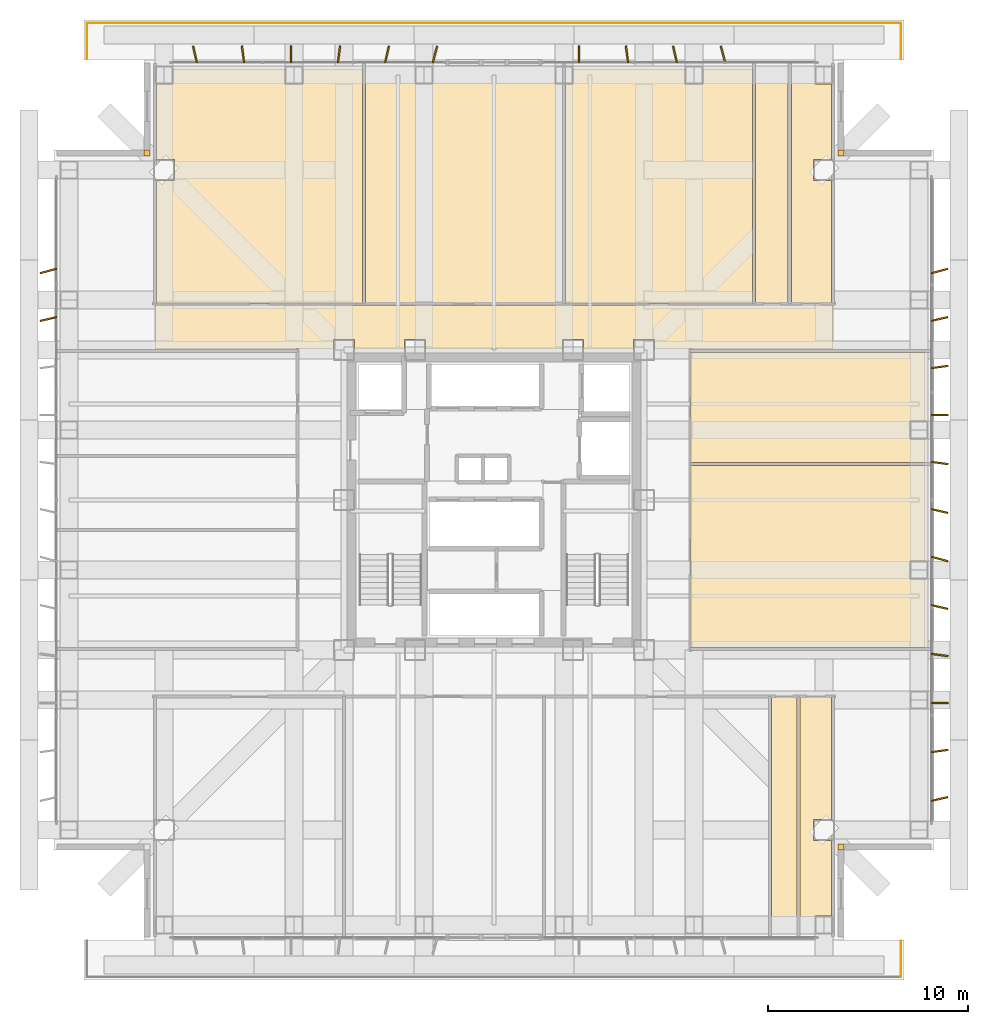
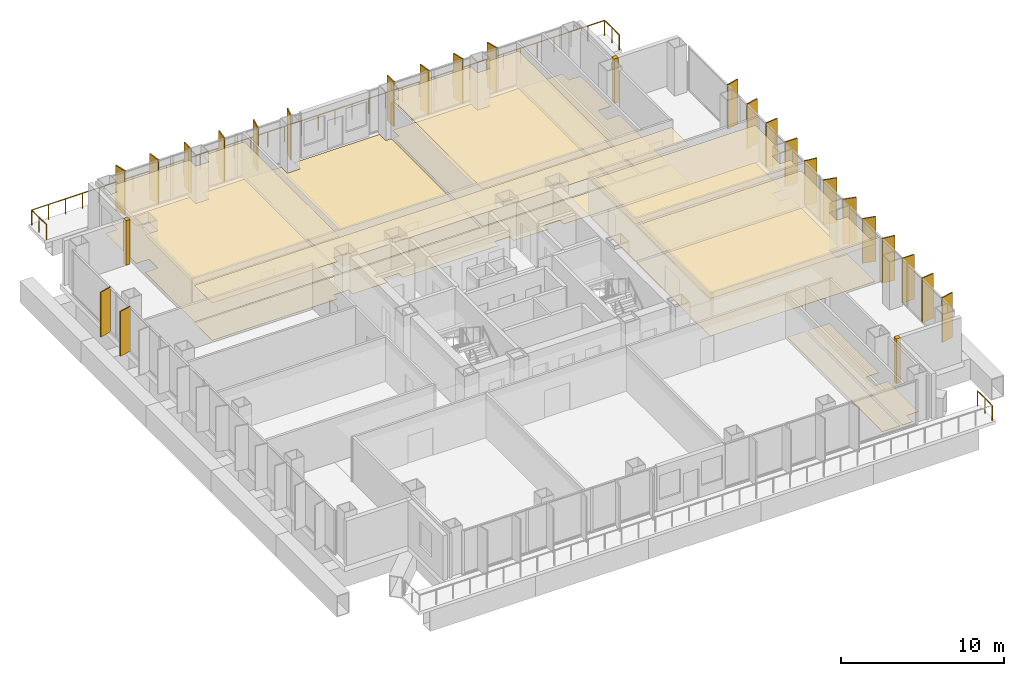
# One storey, part 17 of 17: 24 shading devices, 18 coverings, 4 railings.
"""IFC4 building model written with IfcOpenShell, lengths in metres."""

from ifc_helpers import new_model, si_unit, direction, frame, origin, origin_2d, place, context, subcontext, project, spatial, polyline, rectangle, circle, outline, extrude, material, layer, layer_set, type_object, element, save


model = new_model("IFC4")

# Units and contexts
model_context = context("Model", 3, precision=1e-05, world=origin(), true_north=direction((0.0, 1.0)))
body_context = subcontext(model_context, "Body", "Model", "MODEL_VIEW")
ifc_project = project(units=[si_unit("LENGTHUNIT", "METRE"), si_unit("AREAUNIT", "SQUARE_METRE"), si_unit("VOLUMEUNIT", "CUBIC_METRE"), si_unit("PLANEANGLEUNIT", "RADIAN"), si_unit("MASSUNIT", "GRAM", prefix="KILO")], contexts=[model_context])

# Site, building, storey
site_placement = place(None, origin())
site = spatial("IfcSite", under=ifc_project, at=site_placement, CompositionType="ELEMENT")
building_placement = place(site_placement, origin())
building = spatial("IfcBuilding", under=site, at=building_placement, Name="Trevonay Congress Spire", CompositionType="ELEMENT")
storey_placement = place(building_placement, frame((0.0, 0.0, 94.0)))
storey = spatial("IfcBuildingStorey", under=building, at=storey_placement, Name="L23", CompositionType="ELEMENT", Elevation=94.0)

# Coverings
ifc_material_1 = material(Name="Acoustic Mineral Fibre Board", Category="gypsum")
ifc_layer_1 = layer(ifc_material_1, 0.02490234375, Name="Acoustic Mineral Fibre Board")
ifc_layer_set_1 = layer_set([ifc_layer_1], Name="Acoustic Mineral Fibre Board")
covering_type_1 = type_object("IfcCoveringType", Name="COV-CEIL-ACOUSTIC", PredefinedType="CEILING", material=ifc_layer_set_1)
covering_1_placement = place(storey_placement, frame((0.0, 0.0, 2.81005859375)))
element("IfcCovering", 1, at=covering_1_placement, inside=storey, type_object=covering_type_1, Name="L23 Sky Lobby Concourse North acoustic suspended ceiling", PredefinedType="CEILING", context=body_context, shape_type="SweptSolid", body=[
    extrude(outline(polyline([(-16.949951171875, 7.550048828125), (-16.949951171875, 9.75), (16.949951171875, 9.75), (16.949951171875, 7.550048828125), (8.034912109375, 7.550048828125), (8.034912109375, 8.034912109375), (6.965087890625, 8.034912109375), (6.965087890625, 7.550048828125), (4.485107421875, 7.550048828125), (4.485107421875, 8.034912109375), (3.4150390625, 8.034912109375), (3.4150390625, 7.550048828125), (-3.4150390625, 7.550048828125), (-3.4150390625, 8.034912109375), (-4.485107421875, 8.034912109375), (-4.485107421875, 7.550048828125), (-6.965087890625, 7.550048828125), (-6.965087890625, 8.034912109375), (-8.034912109375, 8.034912109375), (-8.034912109375, 7.550048828125), (-16.949951171875, 7.550048828125)])), origin(), (0.0, 0.0, 1.0), 0.02490234375),
])
covering_2_placement = place(storey_placement, frame((0.0, 0.0, 2.81005859375)))
element("IfcCovering", 2, at=covering_2_placement, inside=storey, type_object=covering_type_1, Name="L23 Sky-Lobby Business Secretariat Office acoustic suspended ceiling", PredefinedType="CEILING", context=body_context, shape_type="SweptSolid", body=[
    extrude(outline(polyline([(-6.580078125, 21.550048828125), (-6.580078125, 9.830078125), (-16.8701171875, 9.830078125), (-16.8701171875, 15.965087890625), (-15.965087890625, 15.965087890625), (-15.965087890625, 17.034912109375), (-16.8701171875, 17.034912109375), (-16.8701171875, 20.7900390625), (-16.0400390625, 20.7900390625), (-16.0400390625, 21.550048828125), (-10.4599609375, 21.550048828125), (-10.4599609375, 20.7900390625), (-9.5400390625, 20.7900390625), (-9.5400390625, 21.550048828125), (-6.580078125, 21.550048828125)])), origin(), (0.0, 0.0, 1.0), 0.02490234375),
])
covering_3_placement = place(storey_placement, frame((0.0, 0.0, 2.81005859375)))
element("IfcCovering", 3, at=covering_3_placement, inside=storey, type_object=covering_type_1, Name="L23 Press Interview Office acoustic suspended ceiling", PredefinedType="CEILING", context=body_context, shape_type="SweptSolid", body=[
    extrude(outline(polyline([(12.919921875, 21.550048828125), (12.919921875, 9.830078125), (3.580078125, 9.830078125), (3.580078125, 20.7900390625), (3.9599609375, 20.7900390625), (3.9599609375, 21.550048828125), (9.5400390625, 21.550048828125), (9.5400390625, 20.7900390625), (10.4599609375, 20.7900390625), (10.4599609375, 21.550048828125), (12.919921875, 21.550048828125)])), origin(), (0.0, 0.0, 1.0), 0.02490234375),
])
covering_4_placement = place(storey_placement, frame((0.0, 0.0, 2.81005859375)))
element("IfcCovering", 4, at=covering_4_placement, inside=storey, type_object=covering_type_1, Name="L23 VIP Delegation Waiting Salon acoustic suspended ceiling", PredefinedType="CEILING", context=body_context, shape_type="SweptSolid", body=[
    extrude(outline(polyline([(21.550048828125, -7.3701171875), (9.830078125, -7.3701171875), (9.830078125, 1.719970703125), (21.550048828125, 1.719970703125), (21.550048828125, -3.0400390625), (20.7900390625, -3.0400390625), (20.7900390625, -3.9599609375), (21.550048828125, -3.9599609375), (21.550048828125, -7.3701171875)])), origin(), (0.0, 0.0, 1.0), 0.02490234375),
])
covering_5_placement = place(storey_placement, frame((0.0, 0.0, 2.81005859375)))
element("IfcCovering", 5, at=covering_5_placement, inside=storey, type_object=covering_type_1, Name="L23 Catering Servery Kitchen acoustic suspended ceiling", PredefinedType="CEILING", context=body_context, shape_type="SweptSolid", body=[
    extrude(outline(polyline([(21.550048828125, 1.8798828125), (9.830078125, 1.8798828125), (9.830078125, 7.3701171875), (21.550048828125, 7.3701171875), (21.550048828125, 3.9599609375), (20.7900390625, 3.9599609375), (20.7900390625, 3.0400390625), (21.550048828125, 3.0400390625), (21.550048828125, 1.8798828125)])), origin(), (0.0, 0.0, 1.0), 0.02490234375),
])
ifc_material_2 = material(Name="Polished Granite Floor Tile", Category="masonry")
ifc_layer_2 = layer(ifc_material_2, 0.02001953125, Name="Polished Granite Floor Tile")
ifc_layer_set_2 = layer_set([ifc_layer_2], Name="Polished Granite Floor Tile")
covering_type_2 = type_object("IfcCoveringType", Name="COV-FLOOR-STONE", PredefinedType="FLOORING", material=ifc_layer_set_2)
covering_6_placement = place(storey_placement, origin())
element("IfcCovering", 6, at=covering_6_placement, inside=storey, type_object=covering_type_2, Name="L23 Sky Lobby Concourse North floor finish", PredefinedType="FLOORING", context=body_context, shape_type="SweptSolid", body=[
    extrude(outline(polyline([(-16.949951171875, 7.550048828125), (-16.949951171875, 9.75), (16.949951171875, 9.75), (16.949951171875, 7.550048828125), (8.034912109375, 7.550048828125), (8.034912109375, 8.034912109375), (6.965087890625, 8.034912109375), (6.965087890625, 7.550048828125), (4.485107421875, 7.550048828125), (4.485107421875, 8.034912109375), (3.4150390625, 8.034912109375), (3.4150390625, 7.550048828125), (-3.4150390625, 7.550048828125), (-3.4150390625, 8.034912109375), (-4.485107421875, 8.034912109375), (-4.485107421875, 7.550048828125), (-6.965087890625, 7.550048828125), (-6.965087890625, 8.034912109375), (-8.034912109375, 8.034912109375), (-8.034912109375, 7.550048828125), (-16.949951171875, 7.550048828125)])), origin(), (0.0, 0.0, 1.0), 0.02001953125),
])
covering_7_placement = place(storey_placement, origin())
element("IfcCovering", 7, at=covering_7_placement, inside=storey, type_object=covering_type_2, Name="L23 Accessible WC floor finish", PredefinedType="FLOORING", context=body_context, shape_type="SweptSolid", body=[
    extrude(outline(polyline([(13.8798828125, -21.550048828125), (15.14990234375, -21.550048828125), (15.14990234375, -9.830078125), (13.8798828125, -9.830078125), (13.8798828125, -21.550048828125)])), origin(), (0.0, 0.0, 1.0), 0.02001953125),
])
covering_8_placement = place(storey_placement, origin())
element("IfcCovering", 8, at=covering_8_placement, inside=storey, type_object=covering_type_2, Name="L23 Floor Supplies and Copy Room floor finish", PredefinedType="FLOORING", context=body_context, shape_type="SweptSolid", body=[
    extrude(outline(polyline([(15.31005859375, -21.550048828125), (15.31005859375, -9.830078125), (16.8701171875, -9.830078125), (16.8701171875, -15.965087890625), (15.965087890625, -15.965087890625), (15.965087890625, -17.034912109375), (16.8701171875, -17.034912109375), (16.8701171875, -20.7900390625), (16.0400390625, -20.7900390625), (16.0400390625, -21.550048828125), (15.31005859375, -21.550048828125)])), origin(), (0.0, 0.0, 1.0), 0.02001953125),
])
covering_9_placement = place(storey_placement, origin())
element("IfcCovering", 9, at=covering_9_placement, inside=storey, type_object=covering_type_2, Name="L23 Protocol Archive Store floor finish", PredefinedType="FLOORING", context=body_context, shape_type="SweptSolid", body=[
    extrude(outline(polyline([(3.419921875, 9.830078125), (-6.419921875, 9.830078125), (-6.419921875, 21.550048828125), (-3.9599609375, 21.550048828125), (-3.9599609375, 20.7900390625), (-3.0400390625, 20.7900390625), (-3.0400390625, 21.550048828125), (3.0400390625, 21.550048828125), (3.0400390625, 20.7900390625), (3.419921875, 20.7900390625), (3.419921875, 9.830078125)])), origin(), (0.0, 0.0, 1.0), 0.02001953125),
])
covering_10_placement = place(storey_placement, origin())
element("IfcCovering", 10, at=covering_10_placement, inside=storey, type_object=covering_type_2, Name="L23 Female Restroom WC floor finish", PredefinedType="FLOORING", context=body_context, shape_type="SweptSolid", body=[
    extrude(outline(polyline([(13.080078125, 9.830078125), (14.7099609375, 9.830078125), (14.7099609375, 21.550048828125), (13.080078125, 21.550048828125), (13.080078125, 9.830078125)])), origin(), (0.0, 0.0, 1.0), 0.02001953125),
])
covering_11_placement = place(storey_placement, origin())
element("IfcCovering", 11, at=covering_11_placement, inside=storey, type_object=covering_type_2, Name="L23 Floor Supplies and Copy Room floor finish", PredefinedType="FLOORING", context=body_context, shape_type="SweptSolid", body=[
    extrude(outline(polyline([(16.8701171875, 9.830078125), (14.8701171875, 9.830078125), (14.8701171875, 21.550048828125), (16.0400390625, 21.550048828125), (16.0400390625, 20.7900390625), (16.8701171875, 20.7900390625), (16.8701171875, 17.034912109375), (15.965087890625, 17.034912109375), (15.965087890625, 15.965087890625), (16.8701171875, 15.965087890625), (16.8701171875, 9.830078125)])), origin(), (0.0, 0.0, 1.0), 0.02001953125),
])
covering_12_placement = place(storey_placement, origin())
element("IfcCovering", 12, at=covering_12_placement, inside=storey, type_object=covering_type_2, Name="L23 Catering Servery Kitchen floor finish", PredefinedType="FLOORING", context=body_context, shape_type="SweptSolid", body=[
    extrude(outline(polyline([(21.550048828125, 1.8798828125), (9.830078125, 1.8798828125), (9.830078125, 7.3701171875), (21.550048828125, 7.3701171875), (21.550048828125, 3.9599609375), (20.7900390625, 3.9599609375), (20.7900390625, 3.0400390625), (21.550048828125, 3.0400390625), (21.550048828125, 1.8798828125)])), origin(), (0.0, 0.0, 1.0), 0.02001953125),
])
ifc_material_3 = material(Name="Engineered Oak Flooring", Category="wood")
ifc_layer_3 = layer(ifc_material_3, 0.01806640625, Name="Engineered Oak Flooring")
ifc_layer_set_3 = layer_set([ifc_layer_3], Name="Engineered Oak Flooring")
covering_type_3 = type_object("IfcCoveringType", Name="COV-FLOOR-TIMBER", PredefinedType="FLOORING", material=ifc_layer_set_3)
covering_13_placement = place(storey_placement, origin())
element("IfcCovering", 13, at=covering_13_placement, inside=storey, type_object=covering_type_3, Name="L23 Sky-Lobby Business Secretariat Office floor finish", PredefinedType="FLOORING", context=body_context, shape_type="SweptSolid", body=[
    extrude(outline(polyline([(-6.580078125, 21.550048828125), (-6.580078125, 9.830078125), (-16.8701171875, 9.830078125), (-16.8701171875, 15.965087890625), (-15.965087890625, 15.965087890625), (-15.965087890625, 17.034912109375), (-16.8701171875, 17.034912109375), (-16.8701171875, 20.7900390625), (-16.0400390625, 20.7900390625), (-16.0400390625, 21.550048828125), (-10.4599609375, 21.550048828125), (-10.4599609375, 20.7900390625), (-9.5400390625, 20.7900390625), (-9.5400390625, 21.550048828125), (-6.580078125, 21.550048828125)])), origin(), (0.0, 0.0, 1.0), 0.01806640625),
])
covering_14_placement = place(storey_placement, origin())
element("IfcCovering", 14, at=covering_14_placement, inside=storey, type_object=covering_type_3, Name="L23 Press Interview Office floor finish", PredefinedType="FLOORING", context=body_context, shape_type="SweptSolid", body=[
    extrude(outline(polyline([(12.919921875, 21.550048828125), (12.919921875, 9.830078125), (3.580078125, 9.830078125), (3.580078125, 20.7900390625), (3.9599609375, 20.7900390625), (3.9599609375, 21.550048828125), (9.5400390625, 21.550048828125), (9.5400390625, 20.7900390625), (10.4599609375, 20.7900390625), (10.4599609375, 21.550048828125), (12.919921875, 21.550048828125)])), origin(), (0.0, 0.0, 1.0), 0.01806640625),
])
covering_15_placement = place(storey_placement, origin())
element("IfcCovering", 15, at=covering_15_placement, inside=storey, type_object=covering_type_3, Name="L23 VIP Delegation Waiting Salon floor finish", PredefinedType="FLOORING", context=body_context, shape_type="SweptSolid", body=[
    extrude(outline(polyline([(21.550048828125, -7.3701171875), (9.830078125, -7.3701171875), (9.830078125, 1.719970703125), (21.550048828125, 1.719970703125), (21.550048828125, -3.0400390625), (20.7900390625, -3.0400390625), (20.7900390625, -3.9599609375), (21.550048828125, -3.9599609375), (21.550048828125, -7.3701171875)])), origin(), (0.0, 0.0, 1.0), 0.01806640625),
])
ifc_material_4 = material(Name="Pale Anodised Aluminium EN AW-6063-T6", Category="aluminium")
ifc_layer_4 = layer(ifc_material_4, 0.0400390625, Name="Pale Anodised Aluminium EN AW-6063-T6")
ifc_layer_set_4 = layer_set([ifc_layer_4], Name="Pale Anodised Aluminium EN AW-6063-T6")
covering_type_4 = type_object("IfcCoveringType", Name="COV-SPANDREL-PALE-METAL", PredefinedType="CLADDING", material=ifc_layer_set_4)
covering_16_placement = place(storey_placement, origin())
element("IfcCovering", 16, at=covering_16_placement, inside=storey, type_object=covering_type_4, Name="L23 SE re-entrant notch corner closure trim", PredefinedType="CLADDING", context=body_context, shape_type="SweptSolid", body=[
    extrude(outline(polyline([(17.199951171875, -17.5), (17.5, -17.5), (17.5, -17.199951171875), (17.199951171875, -17.199951171875), (17.199951171875, -17.5)])), origin(), (0.0, 0.0, 1.0), 3.360107421875),
])
covering_17_placement = place(storey_placement, origin())
element("IfcCovering", 17, at=covering_17_placement, inside=storey, type_object=covering_type_4, Name="L23 NE re-entrant notch corner closure trim", PredefinedType="CLADDING", context=body_context, shape_type="SweptSolid", body=[
    extrude(outline(polyline([(17.199951171875, 17.199951171875), (17.5, 17.199951171875), (17.5, 17.5), (17.199951171875, 17.5), (17.199951171875, 17.199951171875)])), origin(), (0.0, 0.0, 1.0), 3.360107421875),
])
covering_18_placement = place(storey_placement, origin())
element("IfcCovering", 18, at=covering_18_placement, inside=storey, type_object=covering_type_4, Name="L23 NW re-entrant notch corner closure trim", PredefinedType="CLADDING", context=body_context, shape_type="SweptSolid", body=[
    extrude(outline(polyline([(-17.5, 17.199951171875), (-17.199951171875, 17.199951171875), (-17.199951171875, 17.5), (-17.5, 17.5), (-17.5, 17.199951171875)])), origin(), (0.0, 0.0, 1.0), 3.360107421875),
])

# Railings
railing_type = type_object("IfcRailingType", Name="RAL-BALUSTRADE-115", PredefinedType="BALUSTRADE", material=ifc_material_4)
for number, where, name in (
    (19, (20.35009765625, -23.85009765625, 0.0), "L23 perimeter safety guard GRD-L23-SKY-S-3"),
    (20, (-20.35009765625, 22.050048828125, 0.0), "L23 perimeter safety guard GRD-L23-SKY-N-1"),
):
    element("IfcRailing", number, at=place(storey_placement, frame(where)), inside=storey, type_object=railing_type, Name=name, PredefinedType="BALUSTRADE", context=body_context, shape_type="SweptSolid", body=[
        extrude(circle(Radius=0.02392578125, at=origin_2d()), frame((0.0, 0.0, 1.1259765625), z_axis=(0.0, 1.0, 0.0), x_axis=(-1.0, 0.0, 0.0)), (0.0, 0.0, 1.0), 1.800048828125),
        extrude(circle(Radius=0.02099609375, at=origin_2d()), origin(), (0.0, 0.0, 1.0), 1.101806640625),
        extrude(circle(Radius=0.02099609375, at=origin_2d()), frame((0.0, 0.89990234375, 0.0)), (0.0, 0.0, 1.0), 1.101806640625),
        extrude(circle(Radius=0.02099609375, at=origin_2d()), frame((0.0, 1.800048828125, 0.0)), (0.0, 0.0, 1.0), 1.101806640625),
    ])
railing_1_placement = place(storey_placement, frame((-20.35009765625, 23.85009765625, 0.0)))
element("IfcRailing", 21, at=railing_1_placement, inside=storey, type_object=railing_type, Name="L23 perimeter safety guard GRD-L23-SKY-N-2", PredefinedType="BALUSTRADE", context=body_context, shape_type="SweptSolid", body=[
    extrude(circle(Radius=0.02392578125, at=origin_2d()), frame((0.0, 0.0, 1.1259765625), z_axis=(1.0, 0.0, 0.0), x_axis=(0.0, 1.0, 0.0)), (0.0, 0.0, 1.0), 40.7001953125),
    extrude(circle(Radius=0.02099609375, at=origin_2d()), origin(), (0.0, 0.0, 1.0), 1.101806640625),
    extrude(circle(Radius=0.02099609375, at=origin_2d()), frame((1.197021484375, 0.0, 0.0)), (0.0, 0.0, 1.0), 1.101806640625),
    extrude(circle(Radius=0.02099609375, at=origin_2d()), frame((2.39404296875, 0.0, 0.0)), (0.0, 0.0, 1.0), 1.101806640625),
    extrude(circle(Radius=0.02099609375, at=origin_2d()), frame((3.59130859375, 0.0, 0.0)), (0.0, 0.0, 1.0), 1.101806640625),
    extrude(circle(Radius=0.02099609375, at=origin_2d()), frame((4.788330078125, 0.0, 0.0)), (0.0, 0.0, 1.0), 1.101806640625),
    extrude(circle(Radius=0.02099609375, at=origin_2d()), frame((5.9853515625, 0.0, 0.0)), (0.0, 0.0, 1.0), 1.101806640625),
    extrude(circle(Radius=0.02099609375, at=origin_2d()), frame((7.182373046875, 0.0, 0.0)), (0.0, 0.0, 1.0), 1.101806640625),
    extrude(circle(Radius=0.02099609375, at=origin_2d()), frame((8.37939453125, 0.0, 0.0)), (0.0, 0.0, 1.0), 1.101806640625),
    extrude(circle(Radius=0.02099609375, at=origin_2d()), frame((9.576416015625, 0.0, 0.0)), (0.0, 0.0, 1.0), 1.101806640625),
    extrude(circle(Radius=0.02099609375, at=origin_2d()), frame((10.773681640625, 0.0, 0.0)), (0.0, 0.0, 1.0), 1.101806640625),
    extrude(circle(Radius=0.02099609375, at=origin_2d()), frame((11.970703125, 0.0, 0.0)), (0.0, 0.0, 1.0), 1.101806640625),
    extrude(circle(Radius=0.02099609375, at=origin_2d()), frame((13.167724609375, 0.0, 0.0)), (0.0, 0.0, 1.0), 1.101806640625),
    extrude(circle(Radius=0.02099609375, at=origin_2d()), frame((14.36474609375, 0.0, 0.0)), (0.0, 0.0, 1.0), 1.101806640625),
    extrude(circle(Radius=0.02099609375, at=origin_2d()), frame((15.561767578125, 0.0, 0.0)), (0.0, 0.0, 1.0), 1.101806640625),
    extrude(circle(Radius=0.02099609375, at=origin_2d()), frame((16.7587890625, 0.0, 0.0)), (0.0, 0.0, 1.0), 1.101806640625),
    extrude(circle(Radius=0.02099609375, at=origin_2d()), frame((17.9560546875, 0.0, 0.0)), (0.0, 0.0, 1.0), 1.101806640625),
    extrude(circle(Radius=0.02099609375, at=origin_2d()), frame((19.153076171875, 0.0, 0.0)), (0.0, 0.0, 1.0), 1.101806640625),
    extrude(circle(Radius=0.02099609375, at=origin_2d()), frame((20.35009765625, 0.0, 0.0)), (0.0, 0.0, 1.0), 1.101806640625),
    extrude(circle(Radius=0.02099609375, at=origin_2d()), frame((21.547119140625, 0.0, 0.0)), (0.0, 0.0, 1.0), 1.101806640625),
    extrude(circle(Radius=0.02099609375, at=origin_2d()), frame((22.744140625, 0.0, 0.0)), (0.0, 0.0, 1.0), 1.101806640625),
    extrude(circle(Radius=0.02099609375, at=origin_2d()), frame((23.94140625, 0.0, 0.0)), (0.0, 0.0, 1.0), 1.101806640625),
    extrude(circle(Radius=0.02099609375, at=origin_2d()), frame((25.138427734375, 0.0, 0.0)), (0.0, 0.0, 1.0), 1.101806640625),
    extrude(circle(Radius=0.02099609375, at=origin_2d()), frame((26.33544921875, 0.0, 0.0)), (0.0, 0.0, 1.0), 1.101806640625),
    extrude(circle(Radius=0.02099609375, at=origin_2d()), frame((27.532470703125, 0.0, 0.0)), (0.0, 0.0, 1.0), 1.101806640625),
    extrude(circle(Radius=0.02099609375, at=origin_2d()), frame((28.7294921875, 0.0, 0.0)), (0.0, 0.0, 1.0), 1.101806640625),
    extrude(circle(Radius=0.02099609375, at=origin_2d()), frame((29.926513671875, 0.0, 0.0)), (0.0, 0.0, 1.0), 1.101806640625),
    extrude(circle(Radius=0.02099609375, at=origin_2d()), frame((31.123779296875, 0.0, 0.0)), (0.0, 0.0, 1.0), 1.101806640625),
    extrude(circle(Radius=0.02099609375, at=origin_2d()), frame((32.32080078125, 0.0, 0.0)), (0.0, 0.0, 1.0), 1.101806640625),
    extrude(circle(Radius=0.02099609375, at=origin_2d()), frame((33.517822265625, 0.0, 0.0)), (0.0, 0.0, 1.0), 1.101806640625),
    extrude(circle(Radius=0.02099609375, at=origin_2d()), frame((34.71484375, 0.0, 0.0)), (0.0, 0.0, 1.0), 1.101806640625),
    extrude(circle(Radius=0.02099609375, at=origin_2d()), frame((35.911865234375, 0.0, 0.0)), (0.0, 0.0, 1.0), 1.101806640625),
    extrude(circle(Radius=0.02099609375, at=origin_2d()), frame((37.10888671875, 0.0, 0.0)), (0.0, 0.0, 1.0), 1.101806640625),
    extrude(circle(Radius=0.02099609375, at=origin_2d()), frame((38.30615234375, 0.0, 0.0)), (0.0, 0.0, 1.0), 1.101806640625),
    extrude(circle(Radius=0.02099609375, at=origin_2d()), frame((39.503173828125, 0.0, 0.0)), (0.0, 0.0, 1.0), 1.101806640625),
    extrude(circle(Radius=0.02099609375, at=origin_2d()), frame((40.7001953125, 0.0, 0.0)), (0.0, 0.0, 1.0), 1.101806640625),
])
railing_2_placement = place(storey_placement, frame((20.35009765625, 23.85009765625, 0.0)))
element("IfcRailing", 22, at=railing_2_placement, inside=storey, type_object=railing_type, Name="L23 perimeter safety guard GRD-L23-SKY-N-3", PredefinedType="BALUSTRADE", context=body_context, shape_type="SweptSolid", body=[
    extrude(circle(Radius=0.02392578125, at=origin_2d()), frame((0.0, 0.0, 1.1259765625), z_axis=(0.0, -1.0, 0.0), x_axis=(1.0, 0.0, 0.0)), (0.0, 0.0, 1.0), 1.800048828125),
    extrude(circle(Radius=0.02099609375, at=origin_2d()), origin(), (0.0, 0.0, 1.0), 1.101806640625),
    extrude(circle(Radius=0.02099609375, at=origin_2d()), frame((0.0, -0.89990234375, 0.0)), (0.0, 0.0, 1.0), 1.101806640625),
    extrude(circle(Radius=0.02099609375, at=origin_2d()), frame((0.0, -1.800048828125, 0.0)), (0.0, 0.0, 1.0), 1.101806640625),
])

# Shading devices
shading_device_type = type_object("IfcShadingDeviceType", Name="SHD-FIN-Z2-PALE-METAL", PredefinedType="USERDEFINED", material=ifc_material_4)
for number, where, z_axis, x_axis, name in (
    (23, (-14.949951171875, 22.280029296875, 0.0), (0.0, 0.0, 1.0), (0.97440931131, 0.224780991261, 0.0), "L23 N vertical pale-metal solar fin 1"),
    (24, (-12.550048828125, 22.280029296875, 0.0), (0.0, 0.0, 1.0), (0.991444861374, 0.13052619222, 0.0), "L23 N vertical pale-metal solar fin 2"),
    (25, (-10.14990234375, 22.280029296875, 0.0), (0.0, 0.0, 1.0), (1.0, 0.0, 0.0), "L23 N vertical pale-metal solar fin 3"),
    (26, (-7.75, 22.280029296875, 0.0), (0.0, 0.0, 1.0), (0.991444861374, -0.13052619222, 0.0), "L23 N vertical pale-metal solar fin 4"),
    (27, (-5.35009765625, 22.280029296875, 0.0), (0.0, 0.0, 1.0), (0.97440931131, -0.224780991261, 0.0), "L23 N vertical pale-metal solar fin 5"),
    (28, (-2.949951171875, 22.280029296875, 0.0), (0.0, 0.0, 1.0), (0.965925826289, -0.258819045103, 0.0), "L23 N vertical pale-metal solar fin 6"),
    (29, (4.25, 22.280029296875, 0.0), (0.0, 0.0, 1.0), (1.0, 0.0, 0.0), "L23 N vertical pale-metal solar fin 9"),
    (30, (6.64990234375, 22.280029296875, 0.0), (0.0, 0.0, 1.0), (0.991444861374, 0.13052619222, 0.0), "L23 N vertical pale-metal solar fin 10"),
    (31, (9.050048828125, 22.280029296875, 0.0), (0.0, 0.0, 1.0), (0.97440931131, 0.224780991261, 0.0), "L23 N vertical pale-metal solar fin 11"),
    (32, (11.449951171875, 22.280029296875, 0.0), (0.0, 0.0, 1.0), (0.965925826289, 0.258819045103, 0.0), "L23 N vertical pale-metal solar fin 12"),
    (33, (-22.280029296875, 9.050048828125, 0.0), (0.0, 0.0, 1.0), (-0.224780991261, 0.97440931131, 0.0), "L23 W vertical pale-metal solar fin 11"),
    (34, (-22.280029296875, 11.449951171875, 0.0), (0.0, 0.0, 1.0), (-0.258819045103, 0.965925826289, 0.0), "L23 W vertical pale-metal solar fin 12"),
    (35, (22.280029296875, -14.949951171875, 0.0), (0.0, 0.0, 1.0), (-0.224780991261, 0.97440931131, 0.0), "L23 E vertical pale-metal solar fin 1"),
    (36, (22.280029296875, -12.550048828125, 0.0), (0.0, 0.0, 1.0), (-0.13052619222, 0.991444861374, 0.0), "L23 E vertical pale-metal solar fin 2"),
    (37, (22.280029296875, -10.14990234375, 0.0), (0.0, 0.0, 1.0), (0.0, 1.0, 0.0), "L23 E vertical pale-metal solar fin 3"),
    (38, (22.280029296875, -7.75, 0.0), (0.0, 0.0, 1.0), (0.13052619222, 0.991444861374, 0.0), "L23 E vertical pale-metal solar fin 4"),
    (39, (22.280029296875, -5.35009765625, 0.0), (0.0, 0.0, 1.0), (0.224780991261, 0.97440931131, 0.0), "L23 E vertical pale-metal solar fin 5"),
    (40, (22.280029296875, -2.949951171875, 0.0), (0.0, 0.0, 1.0), (0.258819045103, 0.965925826289, 0.0), "L23 E vertical pale-metal solar fin 6"),
    (41, (22.280029296875, -0.550048828125, 0.0), (0.0, 0.0, 1.0), (0.224780991261, 0.97440931131, 0.0), "L23 E vertical pale-metal solar fin 7"),
    (42, (22.280029296875, 1.85009765625, 0.0), (0.0, 0.0, 1.0), (0.13052619222, 0.991444861374, 0.0), "L23 E vertical pale-metal solar fin 8"),
    (43, (22.280029296875, 4.25, 0.0), (0.0, 0.0, 1.0), (0.0, 1.0, 0.0), "L23 E vertical pale-metal solar fin 9"),
    (44, (22.280029296875, 6.64990234375, 0.0), (0.0, 0.0, 1.0), (-0.13052619222, 0.991444861374, 0.0), "L23 E vertical pale-metal solar fin 10"),
    (45, (22.280029296875, 9.050048828125, 0.0), (0.0, 0.0, 1.0), (-0.224780991261, 0.97440931131, 0.0), "L23 E vertical pale-metal solar fin 11"),
    (46, (22.280029296875, 11.449951171875, 0.0), (0.0, 0.0, 1.0), (-0.258819045103, 0.965925826289, 0.0), "L23 E vertical pale-metal solar fin 12"),
):
    element("IfcShadingDevice", number, at=place(storey_placement, frame(where, z_axis=z_axis, x_axis=x_axis)), inside=storey, type_object=shading_device_type, Name=name, ObjectType="SOLAR FIN", PredefinedType="USERDEFINED", context=body_context, shape_type="SweptSolid", body=[
        extrude(rectangle(XDim=0.080078125, YDim=0.85009765625, at=origin_2d()), origin(), (0.0, 0.0, 1.0), 3.360107421875),
    ])

save(model, "model.ifc")
